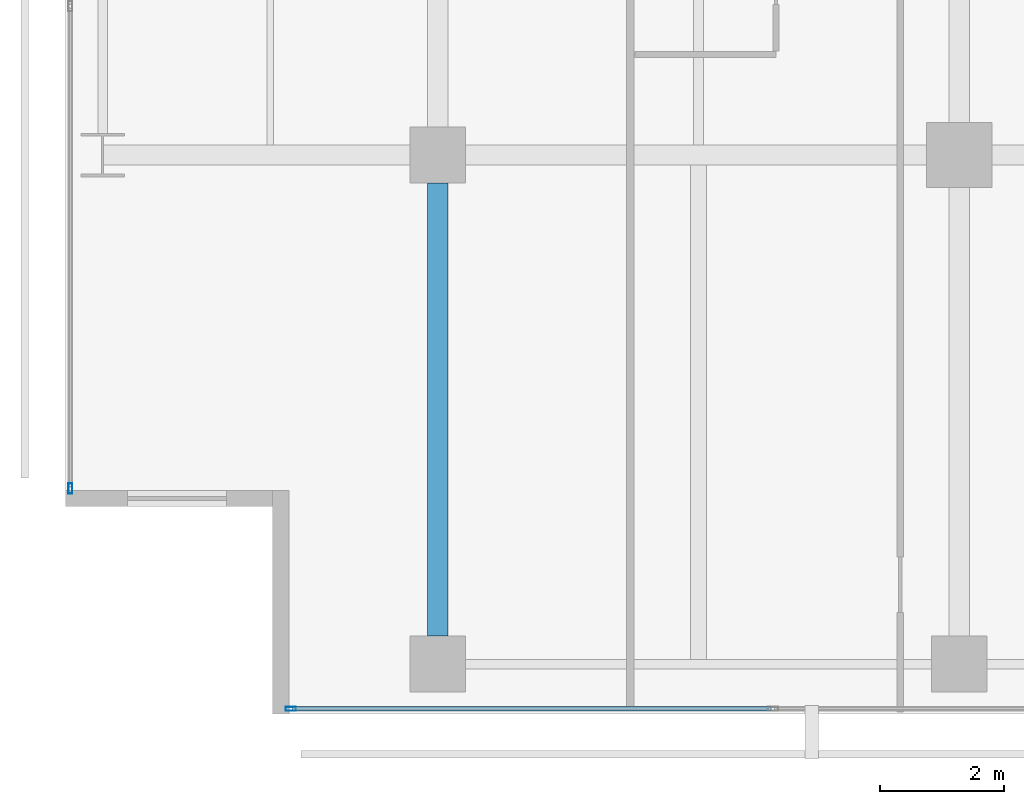
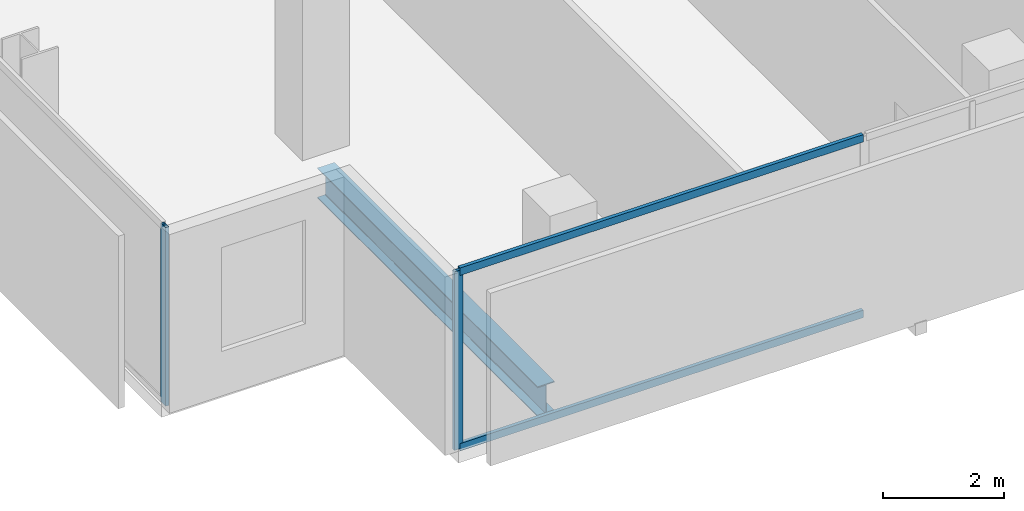
# One storey, part 2 of 40: 4 members, 1 beam, 2 elements without a shape of their own.
"""IFC4 building model written with IfcOpenShell, lengths in metres."""

from ifc_helpers import new_model, si_unit, direction, frame, origin, origin_2d, place, context, subcontext, project, spatial, hollow_rectangle, i_section, extrude, material, layer, layer_set, material_profile, profile_set, type_object, element, aggregate, save


model = new_model("IFC4")

# Units and contexts
model_context = context("Model", 3, precision=1e-05, world=origin(), true_north=direction((0.0, 1.0)))
body_context = subcontext(model_context, "Body", "Model", "MODEL_VIEW")
ifc_project = project(units=[si_unit("LENGTHUNIT", "METRE"), si_unit("AREAUNIT", "SQUARE_METRE"), si_unit("VOLUMEUNIT", "CUBIC_METRE"), si_unit("PLANEANGLEUNIT", "RADIAN"), si_unit("MASSUNIT", "GRAM", prefix="KILO")], contexts=[model_context])

# Site, building, storey
site_placement = place(None, origin())
site = spatial("IfcSite", under=ifc_project, at=site_placement, CompositionType="ELEMENT")
building_placement = place(site_placement, origin())
building = spatial("IfcBuilding", under=site, at=building_placement, Name="Maruvema Waterfront Hotel and Observation Tower", CompositionType="ELEMENT")
storey_placement = place(building_placement, frame((0.0, 0.0, 77.0)))
storey = spatial("IfcBuildingStorey", under=building, at=storey_placement, Name="L18", CompositionType="ELEMENT", Elevation=77.0)

# Curtain wall, members
ifc_material_1 = material(Name="Anodised bronze aluminium and solar-control low-E IGU", Category="aluminium")
ifc_layer = layer(ifc_material_1, 0.159912109375, Name="Zone 1 Bronze Inner Thermal Curtain Wall System CW-02")
ifc_layer_set = layer_set([ifc_layer], Name="Anodised bronze aluminium and solar-control low-E IGU")
curtain_wall_type = type_object("IfcCurtainWallType", Name="Zone 1 Bronze Inner Thermal Curtain Wall System CW-02", PredefinedType="USERDEFINED", material=ifc_layer_set)
curtain_wall_1_placement = place(storey_placement, origin())
curtain_wall_1 = element("IfcCurtainWall", 1, at=curtain_wall_1_placement, inside=storey, type_object=curtain_wall_type, Name="L18 Curtain Wall CW-L18-S", ObjectType="UNITISED CURTAIN WALL", PredefinedType="USERDEFINED")
ifc_material_2 = material(Name="Anodised architectural bronze aluminium", Category="aluminium")
ifc_material_profile_1 = material_profile(ifc_material_2, hollow_rectangle(XDim=0.070068359375, YDim=0.14990234375, WallThickness=0.00390625, at=origin_2d()), Name="ALU-T70x150")
ifc_profile_set_1 = profile_set([ifc_material_profile_1], Name="Anodised architectural bronze aluminium")
member_type_1 = type_object("IfcMemberType", Name="Curtain Wall Horizontal Transom ALU-T70x150", PredefinedType="USERDEFINED", material=ifc_profile_set_1)
member_1_placement = place(storey_placement, frame((14.4599609375, 0.080078125, 0.030029296875), z_axis=(1.0, 0.0, 0.0), x_axis=(0.0, 1.0, 0.0)))
member_1 = element("IfcMember", 2, at=member_1_placement, type_object=member_type_1, Name="CW-02 transom 1.1", ObjectType="TRANSOM", PredefinedType="USERDEFINED", context=body_context, shape_type="SweptSolid", body=[
    extrude(hollow_rectangle(XDim=0.070068359375, YDim=0.14990234375, WallThickness=0.00390625, at=origin_2d()), origin(), (0.0, 0.0, 1.0), 7.7099609375),
])
member_2_placement = place(storey_placement, frame((14.4599609375, 0.080078125, 3.580078125), z_axis=(1.0, 0.0, 0.0), x_axis=(0.0, 1.0, 0.0)))
member_2 = element("IfcMember", 3, at=member_2_placement, type_object=member_type_1, Name="CW-02 transom 1.2", ObjectType="TRANSOM", PredefinedType="USERDEFINED", context=body_context, shape_type="SweptSolid", body=[
    extrude(hollow_rectangle(XDim=0.070068359375, YDim=0.14990234375, WallThickness=0.00390625, at=origin_2d()), origin(), (0.0, 0.0, 1.0), 7.7099609375),
])
ifc_material_3 = material(Name="Anodised architectural bronze aluminium", Category="aluminium")
ifc_material_profile_2 = material_profile(ifc_material_3, hollow_rectangle(XDim=0.06494140625, YDim=0.1650390625, WallThickness=0.00390625, at=origin_2d()), Name="ALU-M65x165")
ifc_profile_set_2 = profile_set([ifc_material_profile_2], Name="Anodised architectural bronze aluminium")
member_type_2 = type_object("IfcMemberType", Name="Curtain Wall Primary Mullion ALU-M65x165", PredefinedType="MULLION", material=ifc_profile_set_2)
member_3_placement = place(storey_placement, frame((14.429931640625, 0.080078125, 0.0), z_axis=(0.0, 0.0, 1.0), x_axis=(0.0, 1.0, 0.0)))
member_3 = element("IfcMember", 4, at=member_3_placement, type_object=member_type_2, Name="CW-02 mullion 1", PredefinedType="MULLION", context=body_context, shape_type="SweptSolid", body=[
    extrude(hollow_rectangle(XDim=0.06494140625, YDim=0.1650390625, WallThickness=0.00390625, at=origin_2d()), origin(), (0.0, 0.0, 1.0), 3.610107421875),
])
aggregate(curtain_wall_1, [member_3, member_1, member_2])

# Curtain wall, member
curtain_wall_2_placement = place(storey_placement, origin())
curtain_wall_2 = element("IfcCurtainWall", 5, at=curtain_wall_2_placement, inside=storey, type_object=curtain_wall_type, Name="L18 Curtain Wall CW-L18-W", ObjectType="UNITISED CURTAIN WALL", PredefinedType="USERDEFINED")
member_4_placement = place(storey_placement, frame((10.8798828125, 3.6298828125, 0.0), z_axis=(0.0, 0.0, 1.0), x_axis=(1.0, 0.0, 0.0)))
member_4 = element("IfcMember", 6, at=member_4_placement, type_object=member_type_2, Name="CW-02 mullion 7", PredefinedType="MULLION", context=body_context, shape_type="SweptSolid", body=[
    extrude(hollow_rectangle(XDim=0.06494140625, YDim=0.1650390625, WallThickness=0.00390625, at=origin_2d()), origin(), (0.0, 0.0, 1.0), 3.610107421875),
])
aggregate(curtain_wall_2, [member_4])

# Beam
ifc_material_4 = material(Name="Steel ASTM A572 Grade 50", Category="steel")
ifc_material_profile_3 = material_profile(ifc_material_4, i_section(OverallWidth=0.323974609375, OverallDepth=0.611083984375, WebThickness=0.0126953125, FlangeThickness=0.01904296875, FilletRadius=0.01806640625, at=origin_2d()), Name="W610x155.0")
ifc_profile_set_3 = profile_set([ifc_material_profile_3], Name="Steel ASTM A572 Grade 50")
beam_type = type_object("IfcBeamType", Name="Primary Floor Girder W610x155.0", PredefinedType="BEAM", material=ifc_profile_set_3)
beam_placement = place(storey_placement, frame((16.800048828125, 1.25, -0.54541015625), z_axis=(0.0, 1.0, 0.0), x_axis=(-1.0, 0.0, 0.0)))
element("IfcBeam", 7, at=beam_placement, inside=storey, type_object=beam_type, Name="L18 Floor Girder NS-05", PredefinedType="BEAM", context=body_context, shape_type="SweptSolid", body=[
    extrude(i_section(OverallWidth=0.323974609375, OverallDepth=0.611083984375, WebThickness=0.0126953125, FlangeThickness=0.01904296875, FilletRadius=0.01806640625, at=origin_2d()), origin(), (0.0, 0.0, 1.0), 7.300048828125),
])

save(model, "model.ifc")
